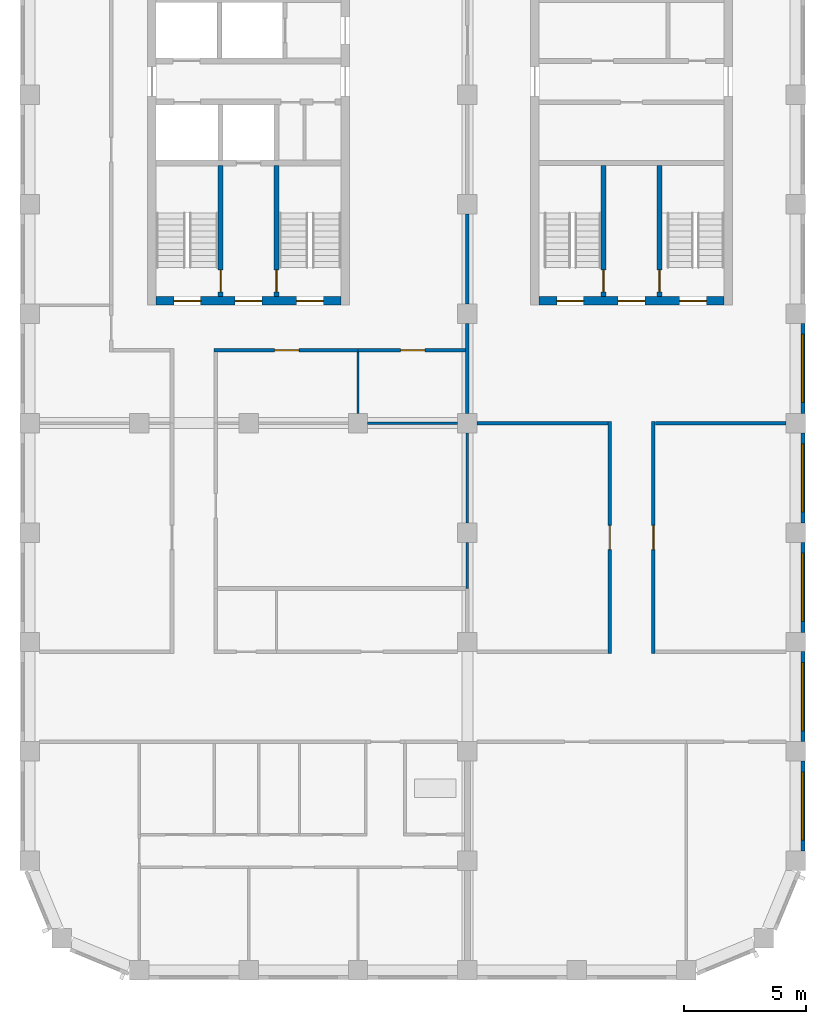
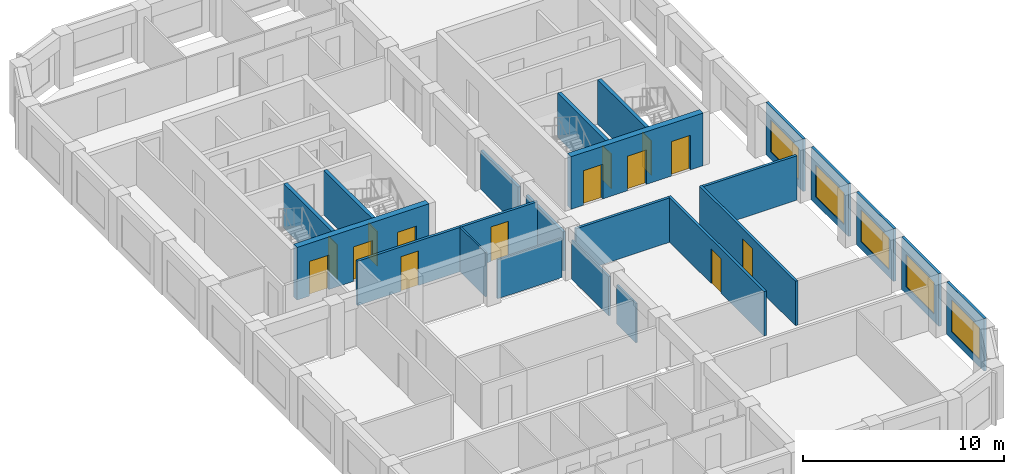
# One storey, part 4 of 9: 23 walls, 14 doors, 5 windows, 19 openings.
"""IFC4 building model written with IfcOpenShell, lengths in metres."""

from ifc_helpers import new_model, si_unit, direction, frame, frame_2d, origin, place, context, subcontext, project, spatial, rectangle, extrude, material, layer, layer_set, type_object, element, fill, save


model = new_model("IFC4")

# Units and contexts
model_context = context("Model", 3, precision=1e-05, world=origin(), true_north=direction((0.0, 1.0)))
body_context = subcontext(model_context, "Body", "Model", "MODEL_VIEW")
ifc_project = project(units=[si_unit("LENGTHUNIT", "METRE"), si_unit("AREAUNIT", "SQUARE_METRE"), si_unit("VOLUMEUNIT", "CUBIC_METRE"), si_unit("PLANEANGLEUNIT", "RADIAN"), si_unit("MASSUNIT", "GRAM", prefix="KILO")], contexts=[model_context])

# Site, building, storey
site_placement = place(None, origin())
site = spatial("IfcSite", under=ifc_project, at=site_placement, CompositionType="ELEMENT")
building_placement = place(site_placement, origin())
building = spatial("IfcBuilding", under=site, at=building_placement, Name="Girih Gate Residences", CompositionType="ELEMENT")
storey_placement = place(building_placement, frame((0.0, 0.0, 198.699951171875)))
storey = spatial("IfcBuildingStorey", under=building, at=storey_placement, Name="L55", CompositionType="ELEMENT", Elevation=198.699951171875)

# Walls
ifc_material_1 = material(Name="Gypsum board on steel studs", Category="steel")
ifc_layer_1 = layer(ifc_material_1, 0.14990234375)
ifc_layer_set_1 = layer_set([ifc_layer_1], Name="Compartment wall 150 mm")
wall_type_1 = type_object("IfcWallType", Name="Compartment wall 150 mm", PredefinedType="PARTITIONING", material=ifc_layer_set_1)
for number, where, z_axis, x_axis, name in (
    (1, (18.39990234375, 22.5, 0.0), (0.0, 0.0, 1.0), (1.0, 0.0, 0.0), "L55 partition"),
    (2, (25.72509765625, 22.5, 0.0), (0.0, 0.0, 1.0), (1.0, 0.0, 0.0), "L55 partition"),
):
    element("IfcWall", number, at=place(storey_placement, frame(where, z_axis=z_axis, x_axis=x_axis)), inside=storey, type_object=wall_type_1, Name=name, PredefinedType="PARTITIONING", context=body_context, shape_type="SweptSolid", body=[
        extrude(rectangle(XDim=5.375, YDim=0.14990234375, at=frame_2d((2.6875, 0.0))), origin(), (0.0, 0.0, 1.0), 2.699951171875),
    ])
for number, where, z_axis, x_axis, name in (
    (3, (18.0, 27.39990234375, 0.0), (0.0, 0.0, 1.0), (0.0, 1.0, 0.0), "L55 partition"),
    (4, (18.0, 22.89990234375, 0.0), (0.0, 0.0, 1.0), (0.0, 1.0, 0.0), "L55 partition"),
):
    element("IfcWall", number, at=place(storey_placement, frame(where, z_axis=z_axis, x_axis=x_axis)), inside=storey, type_object=wall_type_1, Name=name, PredefinedType="PARTITIONING", context=body_context, shape_type="SweptSolid", body=[
        extrude(rectangle(XDim=3.7001953125, YDim=0.14990234375, at=frame_2d((1.85009765625, 0.0))), origin(), (0.0, 0.0, 1.0), 2.380126953125),
    ])

# Wall, opening, door
wall_1_placement = place(storey_placement, frame((23.85009765625, 13.02490234375, 0.0), z_axis=(0.0, 0.0, 1.0), x_axis=(0.0, 1.0, 0.0)))
wall_1 = element("IfcWall", 5, at=wall_1_placement, inside=storey, type_object=wall_type_1, Name="L55 partition", PredefinedType="PARTITIONING", context=body_context, shape_type="SweptSolid", body=[
    extrude(rectangle(XDim=9.550048828125, YDim=0.14990234375, at=frame_2d((4.77490234375, 0.0))), origin(), (0.0, 0.0, 1.0), 2.699951171875),
])
opening_1_placement = place(wall_1_placement, frame((4.27490234375, 0.0, 0.0)))
opening_1 = element("IfcOpeningElement", 6, at=opening_1_placement, cuts=wall_1, Name="Opening A55-022", PredefinedType="OPENING", context=body_context, shape_type="SweptSolid", body=[
    extrude(rectangle(XDim=1.0, YDim=2.10009765625, at=frame_2d((0.5, 1.050048828125))), frame((0.0, 0.0849609375, 0.0), z_axis=(0.0, -1.0, 0.0), x_axis=(1.0, 0.0, 0.0)), (0.0, 0.0, 1.0), 0.169921875),
])
ifc_material_2 = material(Name="Timber, fire-rated core", Category="wood")
door_type_1 = type_object("IfcDoorType", Name="Amenity room door 1000x2100 FD30S", OperationType="NOTDEFINED", PredefinedType="DOOR", material=ifc_material_2)
door_1_placement = place(opening_1_placement, origin())
door_1 = element("IfcDoor", 7, at=door_1_placement, inside=storey, type_object=door_type_1, Name="Door A55-022", OperationType="SINGLE_SWING_RIGHT", OverallHeight=2.10009765625, OverallWidth=1.0, PredefinedType="DOOR", context=body_context, shape_type="SweptSolid", body=[
    extrude(rectangle(XDim=1.0, YDim=2.10009765625, at=frame_2d((0.5, 1.050048828125))), frame((0.0, 0.02490234375, 0.0), z_axis=(0.0, -1.0, 0.0), x_axis=(1.0, 0.0, 0.0)), (0.0, 0.0, 1.0), 0.050048828125),
])
fill(opening_1, door_1)

wall_2_placement = place(storey_placement, frame((25.64990234375, 22.574951171875, 0.0), z_axis=(0.0, 0.0, 1.0), x_axis=(0.0, -1.0, 0.0)))
wall_2 = element("IfcWall", 8, at=wall_2_placement, inside=storey, type_object=wall_type_1, Name="L55 partition", PredefinedType="PARTITIONING", context=body_context, shape_type="SweptSolid", body=[
    extrude(rectangle(XDim=9.550048828125, YDim=0.14990234375, at=frame_2d((4.77490234375, 0.0))), origin(), (0.0, 0.0, 1.0), 2.699951171875),
])
opening_2_placement = place(wall_2_placement, frame((4.27490234375, 0.0, 0.0)))
opening_2 = element("IfcOpeningElement", 9, at=opening_2_placement, cuts=wall_2, Name="Opening A55-023", PredefinedType="OPENING", context=body_context, shape_type="SweptSolid", body=[
    extrude(rectangle(XDim=1.0, YDim=2.10009765625, at=frame_2d((0.5, 1.050048828125))), frame((0.0, 0.0849609375, 0.0), z_axis=(0.0, -1.0, 0.0), x_axis=(1.0, 0.0, 0.0)), (0.0, 0.0, 1.0), 0.169921875),
])
door_2_placement = place(opening_2_placement, origin())
door_2 = element("IfcDoor", 10, at=door_2_placement, inside=storey, type_object=door_type_1, Name="Door A55-023", OperationType="SINGLE_SWING_LEFT", OverallHeight=2.10009765625, OverallWidth=1.0, PredefinedType="DOOR", context=body_context, shape_type="SweptSolid", body=[
    extrude(rectangle(XDim=1.0, YDim=2.10009765625, at=frame_2d((0.5, 1.050048828125))), frame((0.0, 0.02490234375, 0.0), z_axis=(0.0, -1.0, 0.0), x_axis=(1.0, 0.0, 0.0)), (0.0, 0.0, 1.0), 0.050048828125),
])
fill(opening_2, door_2)

wall_3_placement = place(storey_placement, frame((13.5, 25.5, 0.0), z_axis=(0.0, 0.0, 1.0), x_axis=(-1.0, 0.0, 0.0)))
wall_3 = element("IfcWall", 11, at=wall_3_placement, inside=storey, type_object=wall_type_1, Name="L55 partition", PredefinedType="PARTITIONING", context=body_context, shape_type="SweptSolid", body=[
    extrude(rectangle(XDim=5.925048828125, YDim=0.14990234375, at=frame_2d((2.96240234375, 0.0))), origin(), (0.0, 0.0, 1.0), 2.699951171875),
])
opening_3_placement = place(wall_3_placement, frame((2.425048828125, 0.0, 0.0)))
opening_3 = element("IfcOpeningElement", 12, at=opening_3_placement, cuts=wall_3, Name="Opening A55-027", PredefinedType="OPENING", context=body_context, shape_type="SweptSolid", body=[
    extrude(rectangle(XDim=1.0, YDim=2.10009765625, at=frame_2d((0.5, 1.050048828125))), frame((0.0, 0.0849609375, 0.0), z_axis=(0.0, -1.0, 0.0), x_axis=(1.0, 0.0, 0.0)), (0.0, 0.0, 1.0), 0.169921875),
])
door_3_placement = place(opening_3_placement, origin())
door_3 = element("IfcDoor", 13, at=door_3_placement, inside=storey, type_object=door_type_1, Name="Door A55-027", OperationType="SINGLE_SWING_LEFT", OverallHeight=2.10009765625, OverallWidth=1.0, PredefinedType="DOOR", context=body_context, shape_type="SweptSolid", body=[
    extrude(rectangle(XDim=1.0, YDim=2.10009765625, at=frame_2d((0.5, 1.050048828125))), frame((0.0, 0.02490234375, 0.0), z_axis=(0.0, -1.0, 0.0), x_axis=(1.0, 0.0, 0.0)), (0.0, 0.0, 1.0), 0.050048828125),
])
fill(opening_3, door_3)

wall_4_placement = place(storey_placement, frame((17.925048828125, 25.5, 0.0), z_axis=(0.0, 0.0, 1.0), x_axis=(-1.0, 0.0, 0.0)))
wall_4 = element("IfcWall", 14, at=wall_4_placement, inside=storey, type_object=wall_type_1, Name="L55 partition", PredefinedType="PARTITIONING", context=body_context, shape_type="SweptSolid", body=[
    extrude(rectangle(XDim=4.425048828125, YDim=0.14990234375, at=frame_2d((2.21240234375, 0.0))), origin(), (0.0, 0.0, 1.0), 2.699951171875),
])
opening_4_placement = place(wall_4_placement, frame((1.675048828125, 0.0, 0.0)))
opening_4 = element("IfcOpeningElement", 15, at=opening_4_placement, cuts=wall_4, Name="Opening A55-028", PredefinedType="OPENING", context=body_context, shape_type="SweptSolid", body=[
    extrude(rectangle(XDim=1.0, YDim=2.10009765625, at=frame_2d((0.5, 1.050048828125))), frame((0.0, 0.0849609375, 0.0), z_axis=(0.0, -1.0, 0.0), x_axis=(1.0, 0.0, 0.0)), (0.0, 0.0, 1.0), 0.169921875),
])
door_4_placement = place(opening_4_placement, origin())
door_4 = element("IfcDoor", 16, at=door_4_placement, inside=storey, type_object=door_type_1, Name="Door A55-028", OperationType="SINGLE_SWING_LEFT", OverallHeight=2.10009765625, OverallWidth=1.0, PredefinedType="DOOR", context=body_context, shape_type="SweptSolid", body=[
    extrude(rectangle(XDim=1.0, YDim=2.10009765625, at=frame_2d((0.5, 1.050048828125))), frame((0.0, 0.02490234375, 0.0), z_axis=(0.0, -1.0, 0.0), x_axis=(1.0, 0.0, 0.0)), (0.0, 0.0, 1.0), 0.050048828125),
])
fill(opening_4, door_4)

# Wall, openings, doors
ifc_material_3 = material(Name="Concrete C60/75", Category="concrete")
ifc_layer_2 = layer(ifc_material_3, 0.35009765625)
ifc_layer_set_2 = layer_set([ifc_layer_2], Name="Core wall RC 350 Concrete C60/75")
wall_type_2 = type_object("IfcWallType", Name="Core wall RC 350 Concrete C60/75", PredefinedType="SOLIDWALL", material=ifc_layer_set_2)
wall_5_placement = place(storey_placement, frame((5.199951171875, 27.52490234375, 0.0), z_axis=(0.0, 0.0, 1.0), x_axis=(1.0, 0.0, 0.0)))
wall_5 = element("IfcWall", 17, at=wall_5_placement, inside=storey, type_object=wall_type_2, Name="Core wall W-S L55", PredefinedType="SOLIDWALL", context=body_context, shape_type="SweptSolid", body=[
    extrude(rectangle(XDim=7.60009765625, YDim=0.35009765625, at=frame_2d((3.800048828125, 0.0))), origin(), (0.0, 0.0, 1.0), 3.199951171875),
])
opening_5_placement = place(wall_5_placement, frame((0.72509765625, 0.0, 0.0)))
opening_5 = element("IfcOpeningElement", 18, at=opening_5_placement, cuts=wall_5, Name="Opening D-L55-W-009", PredefinedType="OPENING", context=body_context, shape_type="SweptSolid", body=[
    extrude(rectangle(XDim=1.10009765625, YDim=2.10009765625, at=frame_2d((0.550048828125, 1.050048828125))), frame((0.0, 0.18505859375, 0.0), z_axis=(0.0, -1.0, 0.0), x_axis=(1.0, 0.0, 0.0)), (0.0, 0.0, 1.0), 0.3701171875),
])
opening_6_placement = place(wall_5_placement, frame((3.25, 0.0, 0.0)))
opening_6 = element("IfcOpeningElement", 19, at=opening_6_placement, cuts=wall_5, Name="Opening D-L55-W-010", PredefinedType="OPENING", context=body_context, shape_type="SweptSolid", body=[
    extrude(rectangle(XDim=1.10009765625, YDim=2.10009765625, at=frame_2d((0.550048828125, 1.050048828125))), frame((0.0, 0.18505859375, 0.0), z_axis=(0.0, -1.0, 0.0), x_axis=(1.0, 0.0, 0.0)), (0.0, 0.0, 1.0), 0.3701171875),
])
opening_7_placement = place(wall_5_placement, frame((5.77490234375, 0.0, 0.0)))
opening_7 = element("IfcOpeningElement", 20, at=opening_7_placement, cuts=wall_5, Name="Opening D-L55-W-011", PredefinedType="OPENING", context=body_context, shape_type="SweptSolid", body=[
    extrude(rectangle(XDim=1.10009765625, YDim=2.10009765625, at=frame_2d((0.550048828125, 1.050048828125))), frame((0.0, 0.18505859375, 0.0), z_axis=(0.0, -1.0, 0.0), x_axis=(1.0, 0.0, 0.0)), (0.0, 0.0, 1.0), 0.3701171875),
])
ifc_material_4 = material(Name="Painted steel, fire-resisting", Category="steel")
door_type_2 = type_object("IfcDoorType", Name="Fire door 1100x2100", OperationType="SINGLE_SWING_LEFT", PredefinedType="DOOR", material=ifc_material_4)
door_5_placement = place(opening_5_placement, origin())
door_5 = element("IfcDoor", 21, at=door_5_placement, inside=storey, type_object=door_type_2, Name="L55 W core door sta-out", OperationType="SINGLE_SWING_LEFT", OverallHeight=2.10009765625, OverallWidth=1.10009765625, PredefinedType="DOOR", context=body_context, shape_type="SweptSolid", body=[
    extrude(rectangle(XDim=1.10009765625, YDim=2.10009765625, at=frame_2d((0.550048828125, 1.050048828125))), frame((0.0, 0.02490234375, 0.0), z_axis=(0.0, -1.0, 0.0), x_axis=(1.0, 0.0, 0.0)), (0.0, 0.0, 1.0), 0.050048828125),
])
fill(opening_5, door_5)
door_6_placement = place(opening_6_placement, origin())
door_6 = element("IfcDoor", 22, at=door_6_placement, inside=storey, type_object=door_type_2, Name="L55 W core door ffl-out", OperationType="SINGLE_SWING_LEFT", OverallHeight=2.10009765625, OverallWidth=1.10009765625, PredefinedType="DOOR", context=body_context, shape_type="SweptSolid", body=[
    extrude(rectangle(XDim=1.10009765625, YDim=2.10009765625, at=frame_2d((0.550048828125, 1.050048828125))), frame((0.0, 0.02490234375, 0.0), z_axis=(0.0, -1.0, 0.0), x_axis=(1.0, 0.0, 0.0)), (0.0, 0.0, 1.0), 0.050048828125),
])
fill(opening_6, door_6)
door_7_placement = place(opening_7_placement, origin())
door_7 = element("IfcDoor", 23, at=door_7_placement, inside=storey, type_object=door_type_2, Name="L55 W core door stb-out", OperationType="SINGLE_SWING_LEFT", OverallHeight=2.10009765625, OverallWidth=1.10009765625, PredefinedType="DOOR", context=body_context, shape_type="SweptSolid", body=[
    extrude(rectangle(XDim=1.10009765625, YDim=2.10009765625, at=frame_2d((0.550048828125, 1.050048828125))), frame((0.0, 0.02490234375, 0.0), z_axis=(0.0, -1.0, 0.0), x_axis=(1.0, 0.0, 0.0)), (0.0, 0.0, 1.0), 0.050048828125),
])
fill(opening_7, door_7)

# Walls
ifc_layer_3 = layer(ifc_material_1, 0.10009765625)
ifc_layer_set_3 = layer_set([ifc_layer_3], Name="Partition 100 mm")
wall_type_3 = type_object("IfcWallType", Name="Partition 100 mm", PredefinedType="PARTITIONING", material=ifc_layer_set_3)
wall_6_placement = place(storey_placement, frame((18.0, 18.39990234375, 0.0), z_axis=(0.0, 0.0, 1.0), x_axis=(0.0, 1.0, 0.0)))
element("IfcWall", 24, at=wall_6_placement, inside=storey, type_object=wall_type_3, Name="L55 partition", PredefinedType="PARTITIONING", context=body_context, shape_type="SweptSolid", body=[
    extrude(rectangle(XDim=3.7001953125, YDim=0.10009765625, at=frame_2d((1.85009765625, 0.0))), origin(), (0.0, 0.0, 1.0), 2.380126953125),
])
wall_7_placement = place(storey_placement, frame((18.0, 15.699951171875, 0.0), z_axis=(0.0, 0.0, 1.0), x_axis=(0.0, 1.0, 0.0)))
element("IfcWall", 25, at=wall_7_placement, inside=storey, type_object=wall_type_3, Name="L55 partition", PredefinedType="PARTITIONING", context=body_context, shape_type="SweptSolid", body=[
    extrude(rectangle(XDim=1.900146484375, YDim=0.10009765625, at=frame_2d((0.9501953125, 0.0))), origin(), (0.0, 0.0, 1.0), 2.380126953125),
])
wall_8_placement = place(storey_placement, frame((13.89990234375, 22.5, 0.0), z_axis=(0.0, 0.0, 1.0), x_axis=(1.0, 0.0, 0.0)))
element("IfcWall", 26, at=wall_8_placement, inside=storey, type_object=wall_type_3, Name="L55 partition", PredefinedType="PARTITIONING", context=body_context, shape_type="SweptSolid", body=[
    extrude(rectangle(XDim=3.7001953125, YDim=0.10009765625, at=frame_2d((1.85009765625, 0.0))), origin(), (0.0, 0.0, 1.0), 2.380126953125),
])
wall_9_placement = place(storey_placement, frame((13.5, 22.89990234375, 0.0), z_axis=(0.0, 0.0, 1.0), x_axis=(0.0, 1.0, 0.0)))
element("IfcWall", 27, at=wall_9_placement, inside=storey, type_object=wall_type_3, Name="L55 partition", PredefinedType="PARTITIONING", context=body_context, shape_type="SweptSolid", body=[
    extrude(rectangle(XDim=2.525146484375, YDim=0.10009765625, at=frame_2d((1.2626953125, 0.0))), origin(), (0.0, 0.0, 1.0), 2.699951171875),
])

# Wall, opening, window
ifc_material_5 = material(Name="Precast concrete C50/60", Category="concrete")
ifc_layer_4 = layer(ifc_material_5, 0.050048828125, Name="Outer leaf")
ifc_material_6 = material(Name="Rigid PIR insulation")
ifc_layer_5 = layer(ifc_material_6, 0.06005859375, Name="Insulation")
ifc_material_7 = material(Name="Precast concrete C40/50", Category="concrete")
ifc_layer_6 = layer(ifc_material_7, 0.0400390625, Name="Inner leaf")
ifc_layer_set_4 = layer_set([ifc_layer_4, ifc_layer_5, ifc_layer_6], Name="Precast concrete C50/60 external wall 150")
wall_type_4 = type_object("IfcWallType", Name="Precast concrete C50/60 external wall 150", PredefinedType="SOLIDWALL", material=ifc_layer_set_4)
wall_10_placement = place(storey_placement, frame((31.800048828125, 8.60009765625, 0.0), z_axis=(0.0, 0.0, 1.0), x_axis=(0.0, -1.0, 0.0)))
wall_10 = element("IfcWall", 28, at=wall_10_placement, inside=storey, type_object=wall_type_4, Name="External wall E0315_0045.0", PredefinedType="SOLIDWALL", context=body_context, shape_type="SweptSolid", body=[
    extrude(rectangle(XDim=3.7001953125, YDim=0.14990234375, at=frame_2d((1.85009765625, 0.0))), origin(), (0.0, 0.0, 1.0), 3.199951171875),
])
opening_8_placement = place(wall_10_placement, frame((0.449951171875, 0.0, 0.449951171875)))
opening_8 = element("IfcOpeningElement", 29, at=opening_8_placement, cuts=wall_10, Name="Opening W-1B", PredefinedType="OPENING", context=body_context, shape_type="SweptSolid", body=[
    extrude(rectangle(XDim=2.800048828125, YDim=1.949951171875, at=frame_2d((1.39990234375, 0.97509765625))), frame((0.0, 0.0849609375, 0.0), z_axis=(0.0, -1.0, 0.0), x_axis=(1.0, 0.0, 0.0)), (0.0, 0.0, 1.0), 0.169921875),
])
ifc_material_8 = material(Name="Double glazing in aluminium frame", Category="aluminium")
window_type = type_object("IfcWindowType", Name="Window W-1B 2800x1950", PartitioningType="SINGLE_PANEL", PredefinedType="WINDOW", material=ifc_material_8)
window_1_placement = place(opening_8_placement, origin())
window_1 = element("IfcWindow", 30, at=window_1_placement, inside=storey, type_object=window_type, Name="Window W-1B E0315_0045.0", OverallHeight=1.949951171875, OverallWidth=2.800048828125, PartitioningType="SINGLE_PANEL", PredefinedType="WINDOW", context=body_context, shape_type="SweptSolid", body=[
    extrude(rectangle(XDim=2.800048828125, YDim=1.949951171875, at=frame_2d((1.39990234375, 0.97509765625))), frame((0.0, 0.030029296875, 0.0), z_axis=(0.0, -1.0, 0.0), x_axis=(1.0, 0.0, 0.0)), (0.0, 0.0, 1.0), 0.06005859375),
])
fill(opening_8, window_1)

wall_11_placement = place(storey_placement, frame((31.800048828125, 13.10009765625, 0.0), z_axis=(0.0, 0.0, 1.0), x_axis=(0.0, -1.0, 0.0)))
wall_11 = element("IfcWall", 31, at=wall_11_placement, inside=storey, type_object=wall_type_4, Name="External wall E0315_0045.1", PredefinedType="SOLIDWALL", context=body_context, shape_type="SweptSolid", body=[
    extrude(rectangle(XDim=3.7001953125, YDim=0.14990234375, at=frame_2d((1.85009765625, 0.0))), origin(), (0.0, 0.0, 1.0), 3.199951171875),
])
opening_9_placement = place(wall_11_placement, frame((0.449951171875, 0.0, 0.449951171875)))
opening_9 = element("IfcOpeningElement", 32, at=opening_9_placement, cuts=wall_11, Name="Opening W-1B", PredefinedType="OPENING", context=body_context, shape_type="SweptSolid", body=[
    extrude(rectangle(XDim=2.800048828125, YDim=1.949951171875, at=frame_2d((1.39990234375, 0.97509765625))), frame((0.0, 0.0849609375, 0.0), z_axis=(0.0, -1.0, 0.0), x_axis=(1.0, 0.0, 0.0)), (0.0, 0.0, 1.0), 0.169921875),
])
window_2_placement = place(opening_9_placement, origin())
window_2 = element("IfcWindow", 33, at=window_2_placement, inside=storey, type_object=window_type, Name="Window W-1B E0315_0045.1", OverallHeight=1.949951171875, OverallWidth=2.800048828125, PartitioningType="SINGLE_PANEL", PredefinedType="WINDOW", context=body_context, shape_type="SweptSolid", body=[
    extrude(rectangle(XDim=2.800048828125, YDim=1.949951171875, at=frame_2d((1.39990234375, 0.97509765625))), frame((0.0, 0.030029296875, 0.0), z_axis=(0.0, -1.0, 0.0), x_axis=(1.0, 0.0, 0.0)), (0.0, 0.0, 1.0), 0.06005859375),
])
fill(opening_9, window_2)

wall_12_placement = place(storey_placement, frame((31.800048828125, 17.60009765625, 0.0), z_axis=(0.0, 0.0, 1.0), x_axis=(0.0, -1.0, 0.0)))
wall_12 = element("IfcWall", 34, at=wall_12_placement, inside=storey, type_object=wall_type_4, Name="External wall E0315_0045.2", PredefinedType="SOLIDWALL", context=body_context, shape_type="SweptSolid", body=[
    extrude(rectangle(XDim=3.7001953125, YDim=0.14990234375, at=frame_2d((1.85009765625, 0.0))), origin(), (0.0, 0.0, 1.0), 3.199951171875),
])
opening_10_placement = place(wall_12_placement, frame((0.449951171875, 0.0, 0.449951171875)))
opening_10 = element("IfcOpeningElement", 35, at=opening_10_placement, cuts=wall_12, Name="Opening W-1B", PredefinedType="OPENING", context=body_context, shape_type="SweptSolid", body=[
    extrude(rectangle(XDim=2.800048828125, YDim=1.949951171875, at=frame_2d((1.39990234375, 0.97509765625))), frame((0.0, 0.0849609375, 0.0), z_axis=(0.0, -1.0, 0.0), x_axis=(1.0, 0.0, 0.0)), (0.0, 0.0, 1.0), 0.169921875),
])
window_3_placement = place(opening_10_placement, origin())
window_3 = element("IfcWindow", 36, at=window_3_placement, inside=storey, type_object=window_type, Name="Window W-1B E0315_0045.2", OverallHeight=1.949951171875, OverallWidth=2.800048828125, PartitioningType="SINGLE_PANEL", PredefinedType="WINDOW", context=body_context, shape_type="SweptSolid", body=[
    extrude(rectangle(XDim=2.800048828125, YDim=1.949951171875, at=frame_2d((1.39990234375, 0.97509765625))), frame((0.0, 0.030029296875, 0.0), z_axis=(0.0, -1.0, 0.0), x_axis=(1.0, 0.0, 0.0)), (0.0, 0.0, 1.0), 0.06005859375),
])
fill(opening_10, window_3)

wall_13_placement = place(storey_placement, frame((31.800048828125, 22.10009765625, 0.0), z_axis=(0.0, 0.0, 1.0), x_axis=(0.0, -1.0, 0.0)))
wall_13 = element("IfcWall", 37, at=wall_13_placement, inside=storey, type_object=wall_type_4, Name="External wall E0315_0045.3", PredefinedType="SOLIDWALL", context=body_context, shape_type="SweptSolid", body=[
    extrude(rectangle(XDim=3.7001953125, YDim=0.14990234375, at=frame_2d((1.85009765625, 0.0))), origin(), (0.0, 0.0, 1.0), 3.199951171875),
])
opening_11_placement = place(wall_13_placement, frame((0.449951171875, 0.0, 0.449951171875)))
opening_11 = element("IfcOpeningElement", 38, at=opening_11_placement, cuts=wall_13, Name="Opening W-1B", PredefinedType="OPENING", context=body_context, shape_type="SweptSolid", body=[
    extrude(rectangle(XDim=2.800048828125, YDim=1.949951171875, at=frame_2d((1.39990234375, 0.97509765625))), frame((0.0, 0.0849609375, 0.0), z_axis=(0.0, -1.0, 0.0), x_axis=(1.0, 0.0, 0.0)), (0.0, 0.0, 1.0), 0.169921875),
])
window_4_placement = place(opening_11_placement, origin())
window_4 = element("IfcWindow", 39, at=window_4_placement, inside=storey, type_object=window_type, Name="Window W-1B E0315_0045.3", OverallHeight=1.949951171875, OverallWidth=2.800048828125, PartitioningType="SINGLE_PANEL", PredefinedType="WINDOW", context=body_context, shape_type="SweptSolid", body=[
    extrude(rectangle(XDim=2.800048828125, YDim=1.949951171875, at=frame_2d((1.39990234375, 0.97509765625))), frame((0.0, 0.030029296875, 0.0), z_axis=(0.0, -1.0, 0.0), x_axis=(1.0, 0.0, 0.0)), (0.0, 0.0, 1.0), 0.06005859375),
])
fill(opening_11, window_4)

wall_14_placement = place(storey_placement, frame((31.800048828125, 26.60009765625, 0.0), z_axis=(0.0, 0.0, 1.0), x_axis=(0.0, -1.0, 0.0)))
wall_14 = element("IfcWall", 40, at=wall_14_placement, inside=storey, type_object=wall_type_4, Name="External wall E0315_0045.4", PredefinedType="SOLIDWALL", context=body_context, shape_type="SweptSolid", body=[
    extrude(rectangle(XDim=3.7001953125, YDim=0.14990234375, at=frame_2d((1.85009765625, 0.0))), origin(), (0.0, 0.0, 1.0), 3.199951171875),
])
opening_12_placement = place(wall_14_placement, frame((0.449951171875, 0.0, 0.449951171875)))
opening_12 = element("IfcOpeningElement", 41, at=opening_12_placement, cuts=wall_14, Name="Opening W-1B", PredefinedType="OPENING", context=body_context, shape_type="SweptSolid", body=[
    extrude(rectangle(XDim=2.800048828125, YDim=1.949951171875, at=frame_2d((1.39990234375, 0.97509765625))), frame((0.0, 0.0849609375, 0.0), z_axis=(0.0, -1.0, 0.0), x_axis=(1.0, 0.0, 0.0)), (0.0, 0.0, 1.0), 0.169921875),
])
window_5_placement = place(opening_12_placement, origin())
window_5 = element("IfcWindow", 42, at=window_5_placement, inside=storey, type_object=window_type, Name="Window W-1B E0315_0045.4", OverallHeight=1.949951171875, OverallWidth=2.800048828125, PartitioningType="SINGLE_PANEL", PredefinedType="WINDOW", context=body_context, shape_type="SweptSolid", body=[
    extrude(rectangle(XDim=2.800048828125, YDim=1.949951171875, at=frame_2d((1.39990234375, 0.97509765625))), frame((0.0, 0.030029296875, 0.0), z_axis=(0.0, -1.0, 0.0), x_axis=(1.0, 0.0, 0.0)), (0.0, 0.0, 1.0), 0.06005859375),
])
fill(opening_12, window_5)

# Wall, opening, door
ifc_material_9 = material(Name="Concrete C40/50", Category="concrete")
ifc_layer_7 = layer(ifc_material_9, 0.199951171875)
ifc_layer_set_5 = layer_set([ifc_layer_7], Name="Shaft wall 200")
wall_type_5 = type_object("IfcWallType", Name="Shaft wall 200", PredefinedType="SOLIDWALL", material=ifc_layer_set_5)
wall_15_placement = place(storey_placement, frame((7.85009765625, 27.699951171875, 0.0), z_axis=(0.0, 0.0, 1.0), x_axis=(0.0, 1.0, 0.0)))
wall_15 = element("IfcWall", 43, at=wall_15_placement, inside=storey, type_object=wall_type_5, Name="L55 W core wall V1a", PredefinedType="SOLIDWALL", context=body_context, shape_type="SweptSolid", body=[
    extrude(rectangle(XDim=5.400146484375, YDim=0.199951171875, at=frame_2d((2.7001953125, 0.0))), origin(), (0.0, 0.0, 1.0), 2.699951171875),
])
opening_13_placement = place(wall_15_placement, frame((0.199951171875, 0.0, 0.0)))
opening_13 = element("IfcOpeningElement", 44, at=opening_13_placement, cuts=wall_15, Name="Opening D-L55-W-001", PredefinedType="OPENING", context=body_context, shape_type="SweptSolid", body=[
    extrude(rectangle(XDim=0.89990234375, YDim=2.10009765625, at=frame_2d((0.449951171875, 1.050048828125))), frame((0.0, 0.10986328125, 0.0), z_axis=(0.0, -1.0, 0.0), x_axis=(1.0, 0.0, 0.0)), (0.0, 0.0, 1.0), 0.219970703125),
])
door_type_3 = type_object("IfcDoorType", Name="Fire door 900x2100", OperationType="SINGLE_SWING_LEFT", PredefinedType="DOOR", material=ifc_material_4)
door_8_placement = place(opening_13_placement, origin())
door_8 = element("IfcDoor", 45, at=door_8_placement, inside=storey, type_object=door_type_3, Name="L55 W door stair 1 to firefighting lobby", OperationType="SINGLE_SWING_LEFT", OverallHeight=2.10009765625, OverallWidth=0.89990234375, PredefinedType="DOOR", context=body_context, shape_type="SweptSolid", body=[
    extrude(rectangle(XDim=0.89990234375, YDim=2.10009765625, at=frame_2d((0.449951171875, 1.050048828125))), frame((0.0, 0.02490234375, 0.0), z_axis=(0.0, -1.0, 0.0), x_axis=(1.0, 0.0, 0.0)), (0.0, 0.0, 1.0), 0.050048828125),
])
fill(opening_13, door_8)

wall_16_placement = place(storey_placement, frame((10.14990234375, 27.699951171875, 0.0), z_axis=(0.0, 0.0, 1.0), x_axis=(0.0, 1.0, 0.0)))
wall_16 = element("IfcWall", 46, at=wall_16_placement, inside=storey, type_object=wall_type_5, Name="L55 W core wall V2a", PredefinedType="SOLIDWALL", context=body_context, shape_type="SweptSolid", body=[
    extrude(rectangle(XDim=5.400146484375, YDim=0.199951171875, at=frame_2d((2.7001953125, 0.0))), origin(), (0.0, 0.0, 1.0), 2.699951171875),
])
opening_14_placement = place(wall_16_placement, frame((0.199951171875, 0.0, 0.0)))
opening_14 = element("IfcOpeningElement", 47, at=opening_14_placement, cuts=wall_16, Name="Opening D-L55-W-002", PredefinedType="OPENING", context=body_context, shape_type="SweptSolid", body=[
    extrude(rectangle(XDim=0.89990234375, YDim=2.10009765625, at=frame_2d((0.449951171875, 1.050048828125))), frame((0.0, 0.10986328125, 0.0), z_axis=(0.0, -1.0, 0.0), x_axis=(1.0, 0.0, 0.0)), (0.0, 0.0, 1.0), 0.219970703125),
])
door_9_placement = place(opening_14_placement, origin())
door_9 = element("IfcDoor", 48, at=door_9_placement, inside=storey, type_object=door_type_3, Name="L55 W door stair 2 to firefighting lobby", OperationType="SINGLE_SWING_LEFT", OverallHeight=2.10009765625, OverallWidth=0.89990234375, PredefinedType="DOOR", context=body_context, shape_type="SweptSolid", body=[
    extrude(rectangle(XDim=0.89990234375, YDim=2.10009765625, at=frame_2d((0.449951171875, 1.050048828125))), frame((0.0, 0.02490234375, 0.0), z_axis=(0.0, -1.0, 0.0), x_axis=(1.0, 0.0, 0.0)), (0.0, 0.0, 1.0), 0.050048828125),
])
fill(opening_14, door_9)

wall_17_placement = place(storey_placement, frame((23.60009765625, 27.699951171875, 0.0), z_axis=(0.0, 0.0, 1.0), x_axis=(0.0, 1.0, 0.0)))
wall_17 = element("IfcWall", 49, at=wall_17_placement, inside=storey, type_object=wall_type_5, Name="L55 C core wall V1a", PredefinedType="SOLIDWALL", context=body_context, shape_type="SweptSolid", body=[
    extrude(rectangle(XDim=5.400146484375, YDim=0.199951171875, at=frame_2d((2.7001953125, 0.0))), origin(), (0.0, 0.0, 1.0), 2.699951171875),
])
opening_15_placement = place(wall_17_placement, frame((0.199951171875, 0.0, 0.0)))
opening_15 = element("IfcOpeningElement", 50, at=opening_15_placement, cuts=wall_17, Name="Opening D-L55-C-001", PredefinedType="OPENING", context=body_context, shape_type="SweptSolid", body=[
    extrude(rectangle(XDim=0.89990234375, YDim=2.10009765625, at=frame_2d((0.449951171875, 1.050048828125))), frame((0.0, 0.10986328125, 0.0), z_axis=(0.0, -1.0, 0.0), x_axis=(1.0, 0.0, 0.0)), (0.0, 0.0, 1.0), 0.219970703125),
])
door_10_placement = place(opening_15_placement, origin())
door_10 = element("IfcDoor", 51, at=door_10_placement, inside=storey, type_object=door_type_3, Name="L55 C door stair 1 to stair lobby", OperationType="SINGLE_SWING_LEFT", OverallHeight=2.10009765625, OverallWidth=0.89990234375, PredefinedType="DOOR", context=body_context, shape_type="SweptSolid", body=[
    extrude(rectangle(XDim=0.89990234375, YDim=2.10009765625, at=frame_2d((0.449951171875, 1.050048828125))), frame((0.0, 0.02490234375, 0.0), z_axis=(0.0, -1.0, 0.0), x_axis=(1.0, 0.0, 0.0)), (0.0, 0.0, 1.0), 0.050048828125),
])
fill(opening_15, door_10)

wall_18_placement = place(storey_placement, frame((25.89990234375, 27.699951171875, 0.0), z_axis=(0.0, 0.0, 1.0), x_axis=(0.0, 1.0, 0.0)))
wall_18 = element("IfcWall", 52, at=wall_18_placement, inside=storey, type_object=wall_type_5, Name="L55 C core wall V2a", PredefinedType="SOLIDWALL", context=body_context, shape_type="SweptSolid", body=[
    extrude(rectangle(XDim=5.400146484375, YDim=0.199951171875, at=frame_2d((2.7001953125, 0.0))), origin(), (0.0, 0.0, 1.0), 2.699951171875),
])
opening_16_placement = place(wall_18_placement, frame((0.199951171875, 0.0, 0.0)))
opening_16 = element("IfcOpeningElement", 53, at=opening_16_placement, cuts=wall_18, Name="Opening D-L55-C-002", PredefinedType="OPENING", context=body_context, shape_type="SweptSolid", body=[
    extrude(rectangle(XDim=0.89990234375, YDim=2.10009765625, at=frame_2d((0.449951171875, 1.050048828125))), frame((0.0, 0.10986328125, 0.0), z_axis=(0.0, -1.0, 0.0), x_axis=(1.0, 0.0, 0.0)), (0.0, 0.0, 1.0), 0.219970703125),
])
door_11_placement = place(opening_16_placement, origin())
door_11 = element("IfcDoor", 54, at=door_11_placement, inside=storey, type_object=door_type_3, Name="L55 C door stair 2 to stair lobby", OperationType="SINGLE_SWING_LEFT", OverallHeight=2.10009765625, OverallWidth=0.89990234375, PredefinedType="DOOR", context=body_context, shape_type="SweptSolid", body=[
    extrude(rectangle(XDim=0.89990234375, YDim=2.10009765625, at=frame_2d((0.449951171875, 1.050048828125))), frame((0.0, 0.02490234375, 0.0), z_axis=(0.0, -1.0, 0.0), x_axis=(1.0, 0.0, 0.0)), (0.0, 0.0, 1.0), 0.050048828125),
])
fill(opening_16, door_11)

# Wall, openings, doors
ifc_layer_8 = layer(ifc_material_9, 0.35009765625)
ifc_layer_set_6 = layer_set([ifc_layer_8], Name="Stair core wall RC 350 Concrete C40/50")
wall_type_6 = type_object("IfcWallType", Name="Stair core wall RC 350 Concrete C40/50", PredefinedType="SOLIDWALL", material=ifc_layer_set_6)
wall_19_placement = place(storey_placement, frame((20.949951171875, 27.52490234375, 0.0), z_axis=(0.0, 0.0, 1.0), x_axis=(1.0, 0.0, 0.0)))
wall_19 = element("IfcWall", 55, at=wall_19_placement, inside=storey, type_object=wall_type_6, Name="Stair core wall C-S L55", PredefinedType="SOLIDWALL", context=body_context, shape_type="SweptSolid", body=[
    extrude(rectangle(XDim=7.60009765625, YDim=0.35009765625, at=frame_2d((3.800048828125, 0.0))), origin(), (0.0, 0.0, 1.0), 3.199951171875),
])
opening_17_placement = place(wall_19_placement, frame((0.72509765625, 0.0, 0.0)))
opening_17 = element("IfcOpeningElement", 56, at=opening_17_placement, cuts=wall_19, Name="Opening D-L55-C-006", PredefinedType="OPENING", context=body_context, shape_type="SweptSolid", body=[
    extrude(rectangle(XDim=1.10009765625, YDim=2.10009765625, at=frame_2d((0.550048828125, 1.050048828125))), frame((0.0, 0.18505859375, 0.0), z_axis=(0.0, -1.0, 0.0), x_axis=(1.0, 0.0, 0.0)), (0.0, 0.0, 1.0), 0.3701171875),
])
opening_18_placement = place(wall_19_placement, frame((3.25, 0.0, 0.0)))
opening_18 = element("IfcOpeningElement", 57, at=opening_18_placement, cuts=wall_19, Name="Opening D-L55-C-007", PredefinedType="OPENING", context=body_context, shape_type="SweptSolid", body=[
    extrude(rectangle(XDim=1.10009765625, YDim=2.10009765625, at=frame_2d((0.550048828125, 1.050048828125))), frame((0.0, 0.18505859375, 0.0), z_axis=(0.0, -1.0, 0.0), x_axis=(1.0, 0.0, 0.0)), (0.0, 0.0, 1.0), 0.3701171875),
])
opening_19_placement = place(wall_19_placement, frame((5.77490234375, 0.0, 0.0)))
opening_19 = element("IfcOpeningElement", 58, at=opening_19_placement, cuts=wall_19, Name="Opening D-L55-C-008", PredefinedType="OPENING", context=body_context, shape_type="SweptSolid", body=[
    extrude(rectangle(XDim=1.10009765625, YDim=2.10009765625, at=frame_2d((0.550048828125, 1.050048828125))), frame((0.0, 0.18505859375, 0.0), z_axis=(0.0, -1.0, 0.0), x_axis=(1.0, 0.0, 0.0)), (0.0, 0.0, 1.0), 0.3701171875),
])
door_12_placement = place(opening_17_placement, origin())
door_12 = element("IfcDoor", 59, at=door_12_placement, inside=storey, type_object=door_type_2, Name="L55 C core door sta-out", OperationType="SINGLE_SWING_LEFT", OverallHeight=2.10009765625, OverallWidth=1.10009765625, PredefinedType="DOOR", context=body_context, shape_type="SweptSolid", body=[
    extrude(rectangle(XDim=1.10009765625, YDim=2.10009765625, at=frame_2d((0.550048828125, 1.050048828125))), frame((0.0, 0.02490234375, 0.0), z_axis=(0.0, -1.0, 0.0), x_axis=(1.0, 0.0, 0.0)), (0.0, 0.0, 1.0), 0.050048828125),
])
fill(opening_17, door_12)
door_13_placement = place(opening_18_placement, origin())
door_13 = element("IfcDoor", 60, at=door_13_placement, inside=storey, type_object=door_type_2, Name="L55 C core door ffl-out", OperationType="SINGLE_SWING_LEFT", OverallHeight=2.10009765625, OverallWidth=1.10009765625, PredefinedType="DOOR", context=body_context, shape_type="SweptSolid", body=[
    extrude(rectangle(XDim=1.10009765625, YDim=2.10009765625, at=frame_2d((0.550048828125, 1.050048828125))), frame((0.0, 0.02490234375, 0.0), z_axis=(0.0, -1.0, 0.0), x_axis=(1.0, 0.0, 0.0)), (0.0, 0.0, 1.0), 0.050048828125),
])
fill(opening_18, door_13)
door_14_placement = place(opening_19_placement, origin())
door_14 = element("IfcDoor", 61, at=door_14_placement, inside=storey, type_object=door_type_2, Name="L55 C core door stb-out", OperationType="SINGLE_SWING_LEFT", OverallHeight=2.10009765625, OverallWidth=1.10009765625, PredefinedType="DOOR", context=body_context, shape_type="SweptSolid", body=[
    extrude(rectangle(XDim=1.10009765625, YDim=2.10009765625, at=frame_2d((0.550048828125, 1.050048828125))), frame((0.0, 0.02490234375, 0.0), z_axis=(0.0, -1.0, 0.0), x_axis=(1.0, 0.0, 0.0)), (0.0, 0.0, 1.0), 0.050048828125),
])
fill(opening_19, door_14)

save(model, "model.ifc")
